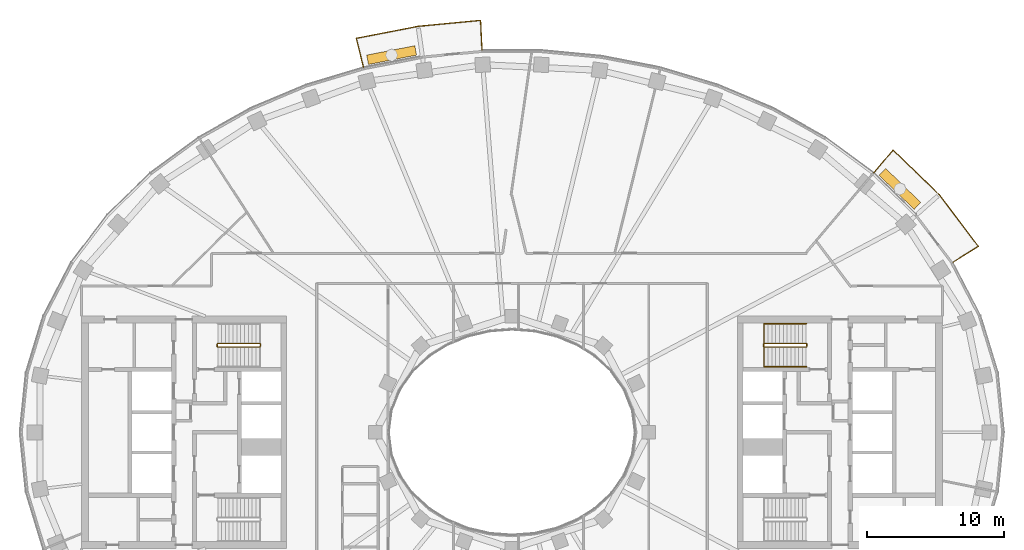
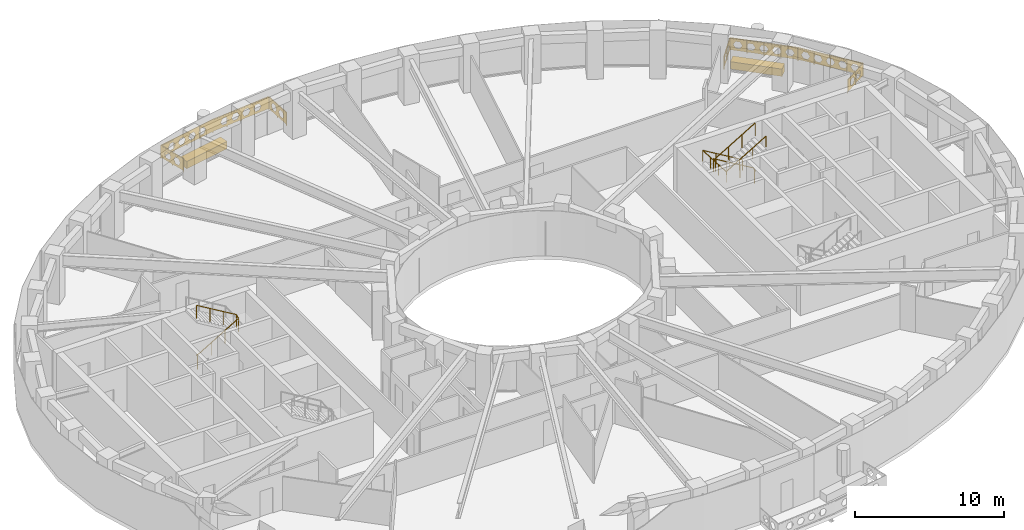
# One storey, part 15 of 16: 5 railings, 2 coverings.
"""IFC4 building model written with IfcOpenShell, lengths in metres."""

from ifc_helpers import new_model, si_unit, direction, frame, origin, origin_2d, place, context, subcontext, project, spatial, polyline, rectangle, outline, extrude, material, type_object, element, save


model = new_model("IFC4")

# Units and contexts
model_context = context("Model", 3, precision=1e-05, world=origin(), true_north=direction((0.0, 1.0)))
body_context = subcontext(model_context, "Body", "Model", "MODEL_VIEW")
ifc_project = project(units=[si_unit("LENGTHUNIT", "METRE"), si_unit("AREAUNIT", "SQUARE_METRE"), si_unit("VOLUMEUNIT", "CUBIC_METRE"), si_unit("PLANEANGLEUNIT", "RADIAN"), si_unit("MASSUNIT", "GRAM", prefix="KILO")], contexts=[model_context])

# Site, building, storey
site_placement = place(None, origin())
site = spatial("IfcSite", under=ifc_project, at=site_placement, CompositionType="ELEMENT")
building_placement = place(site_placement, origin())
building = spatial("IfcBuilding", under=site, at=building_placement, Name="Noorbagh Ring Tower", CompositionType="ELEMENT")
storey_placement = place(building_placement, frame((0.0, 0.0, 257.5)))
storey = spatial("IfcBuildingStorey", under=building, at=storey_placement, Name="L54", CompositionType="ELEMENT", Elevation=257.5)

# Railings
ifc_material_1 = material(Name="Stainless steel", Category="steel")
railing_type_1 = type_object("IfcRailingType", Name="CORE-STAIR-GUARD", PredefinedType="GUARDRAIL", material=ifc_material_1)
railing_1_placement = place(storey_placement, frame((-21.580078125, 6.300048828125, 0.0)))
element("IfcRailing", 1, at=railing_1_placement, inside=storey, type_object=railing_type_1, Name="L54 ST1 stair guard", PredefinedType="GUARDRAIL", context=body_context, shape_type="SweptSolid", body=[
    extrude(rectangle(XDim=0.048095703125, YDim=0.048095703125, at=origin_2d()), frame((0.0, 0.0, 1.076171875), z_axis=(0.0, 1.0, 0.0), x_axis=(-1.0, 0.0, 0.0)), (0.0, 0.0, 1.0), 0.14990234375),
    extrude(rectangle(XDim=0.048095703125, YDim=0.048095703125, at=origin_2d()), frame((0.0, 0.14990234375, 1.076171875), z_axis=(0.188775798145, -0.754182335027, 0.628945707965), x_axis=(0.970072785993, 0.242814311512, 0.0)), (0.0, 0.0, 1.0), 0.26513671875),
    extrude(rectangle(XDim=0.048095703125, YDim=0.048095703125, at=origin_2d()), frame((0.050048828125, -0.050048828125, 1.24267578125), z_axis=(0.859308565015, 0.0, 0.511457515432), x_axis=(0.0, 1.0, 0.0)), (0.0, 0.0, 1.0), 3.58447265625),
    extrude(rectangle(XDim=0.048095703125, YDim=0.048095703125, at=origin_2d()), frame((3.130126953125, -0.050048828125, 3.076171875), z_axis=(0.707106781187, 0.707106781187, 0.0), x_axis=(-0.707106781187, 0.707106781187, 0.0)), (0.0, 0.0, 1.0), 0.07080078125),
    extrude(rectangle(XDim=0.048095703125, YDim=0.048095703125, at=origin_2d()), frame((3.18017578125, 0.0, 3.076171875), z_axis=(0.0, 1.0, 0.0), x_axis=(-1.0, 0.0, 0.0)), (0.0, 0.0, 1.0), 0.14990234375),
    extrude(rectangle(XDim=0.048095703125, YDim=0.048095703125, at=origin_2d()), frame((3.18017578125, 0.14990234375, 3.076171875), z_axis=(-0.27628659633, 0.27628659633, 0.920506074601), x_axis=(-0.707106781187, -0.707106781187, 0.0)), (0.0, 0.0, 1.0), 0.18115234375),
    extrude(rectangle(XDim=0.048095703125, YDim=0.048095703125, at=origin_2d()), frame((3.130126953125, 0.199951171875, 3.24267578125), z_axis=(-0.859308565015, 0.0, 0.511457515432), x_axis=(0.0, -1.0, 0.0)), (0.0, 0.0, 1.0), 3.58447265625),
    extrude(rectangle(XDim=0.0419921875, YDim=0.0419921875, at=origin_2d()), origin(), (0.0, 0.0, 1.0), 1.052001953125),
    extrude(rectangle(XDim=0.0419921875, YDim=0.0419921875, at=origin_2d()), frame((1.07666015625, -0.050048828125, 0.77783203125)), (0.0, 0.0, 1.0), 1.052001953125),
    extrude(rectangle(XDim=0.0419921875, YDim=0.0419921875, at=origin_2d()), frame((2.103515625, -0.050048828125, 1.388916015625)), (0.0, 0.0, 1.0), 1.052001953125),
    extrude(rectangle(XDim=0.0419921875, YDim=0.0419921875, at=origin_2d()), frame((3.130126953125, -0.050048828125, 2.0)), (0.0, 0.0, 1.0), 1.052001953125),
    extrude(rectangle(XDim=0.0419921875, YDim=0.0419921875, at=origin_2d()), frame((3.130126953125, 0.199951171875, 2.166748046875)), (0.0, 0.0, 1.0), 1.052001953125),
    extrude(rectangle(XDim=0.0419921875, YDim=0.0419921875, at=origin_2d()), frame((2.103515625, 0.199951171875, 2.77783203125)), (0.0, 0.0, 1.0), 1.052001953125),
    extrude(rectangle(XDim=0.0419921875, YDim=0.0419921875, at=origin_2d()), frame((1.07666015625, 0.199951171875, 3.388916015625)), (0.0, 0.0, 1.0), 1.052001953125),
    extrude(rectangle(XDim=0.0419921875, YDim=0.0419921875, at=origin_2d()), frame((0.050048828125, 0.199951171875, 4.0)), (0.0, 0.0, 1.0), 1.052001953125),
])
railing_2_placement = place(storey_placement, frame((21.580078125, 6.449951171875, 0.0)))
element("IfcRailing", 2, at=railing_2_placement, inside=storey, type_object=railing_type_1, Name="L54 ST3 stair guard", PredefinedType="GUARDRAIL", context=body_context, shape_type="SweptSolid", body=[
    extrude(rectangle(XDim=0.048095703125, YDim=0.048095703125, at=origin_2d()), frame((0.0, 0.0, 1.076171875), z_axis=(0.0, -1.0, 0.0), x_axis=(1.0, 0.0, 0.0)), (0.0, 0.0, 1.0), 0.14990234375),
    extrude(rectangle(XDim=0.048095703125, YDim=0.048095703125, at=origin_2d()), frame((0.0, -0.14990234375, 1.076171875), z_axis=(-0.188775798145, 0.754182335027, 0.628945707965), x_axis=(-0.970072785993, -0.242814311512, 0.0)), (0.0, 0.0, 1.0), 0.26513671875),
    extrude(rectangle(XDim=0.048095703125, YDim=0.048095703125, at=origin_2d()), frame((-0.050048828125, 0.050048828125, 1.24267578125), z_axis=(-0.859308565015, 0.0, 0.511457515432), x_axis=(0.0, -1.0, 0.0)), (0.0, 0.0, 1.0), 3.58447265625),
    extrude(rectangle(XDim=0.048095703125, YDim=0.048095703125, at=origin_2d()), frame((-3.130126953125, 0.050048828125, 3.076171875), z_axis=(-0.707106781187, -0.707106781187, 0.0), x_axis=(0.707106781187, -0.707106781187, 0.0)), (0.0, 0.0, 1.0), 0.07080078125),
    extrude(rectangle(XDim=0.048095703125, YDim=0.048095703125, at=origin_2d()), frame((-3.18017578125, 0.0, 3.076171875), z_axis=(0.0, -1.0, 0.0), x_axis=(1.0, 0.0, 0.0)), (0.0, 0.0, 1.0), 0.14990234375),
    extrude(rectangle(XDim=0.048095703125, YDim=0.048095703125, at=origin_2d()), frame((-3.18017578125, -0.14990234375, 3.076171875), z_axis=(0.27628659633, -0.27628659633, 0.920506074601), x_axis=(0.707106781187, 0.707106781187, 0.0)), (0.0, 0.0, 1.0), 0.18115234375),
    extrude(rectangle(XDim=0.048095703125, YDim=0.048095703125, at=origin_2d()), frame((-3.130126953125, -0.199951171875, 3.24267578125), z_axis=(0.859308565015, 0.0, 0.511457515432), x_axis=(0.0, 1.0, 0.0)), (0.0, 0.0, 1.0), 3.58447265625),
    extrude(rectangle(XDim=0.0419921875, YDim=0.0419921875, at=origin_2d()), origin(), (0.0, 0.0, 1.0), 1.052001953125),
    extrude(rectangle(XDim=0.0419921875, YDim=0.0419921875, at=origin_2d()), frame((-1.07666015625, 0.050048828125, 0.77783203125)), (0.0, 0.0, 1.0), 1.052001953125),
    extrude(rectangle(XDim=0.0419921875, YDim=0.0419921875, at=origin_2d()), frame((-2.103515625, 0.050048828125, 1.388916015625)), (0.0, 0.0, 1.0), 1.052001953125),
    extrude(rectangle(XDim=0.0419921875, YDim=0.0419921875, at=origin_2d()), frame((-3.130126953125, 0.050048828125, 2.0)), (0.0, 0.0, 1.0), 1.052001953125),
    extrude(rectangle(XDim=0.0419921875, YDim=0.0419921875, at=origin_2d()), frame((-3.130126953125, -0.199951171875, 2.166748046875)), (0.0, 0.0, 1.0), 1.052001953125),
    extrude(rectangle(XDim=0.0419921875, YDim=0.0419921875, at=origin_2d()), frame((-2.103515625, -0.199951171875, 2.77783203125)), (0.0, 0.0, 1.0), 1.052001953125),
    extrude(rectangle(XDim=0.0419921875, YDim=0.0419921875, at=origin_2d()), frame((-1.07666015625, -0.199951171875, 3.388916015625)), (0.0, 0.0, 1.0), 1.052001953125),
    extrude(rectangle(XDim=0.0419921875, YDim=0.0419921875, at=origin_2d()), frame((-0.050048828125, -0.199951171875, 4.0)), (0.0, 0.0, 1.0), 1.052001953125),
])
ifc_material_2 = material(Name="Stainless steel", Category="steel")
railing_type_2 = type_object("IfcRailingType", Name="CORE-STAIR-HANDRAIL", PredefinedType="HANDRAIL", material=ifc_material_2)
railing_3_placement = place(storey_placement, frame((21.530029296875, 7.949951171875, 0.166748046875)))
element("IfcRailing", 3, at=railing_3_placement, inside=storey, type_object=railing_type_2, Name="L54 ST3 stair handrail", PredefinedType="HANDRAIL", context=body_context, shape_type="SweptSolid", body=[
    extrude(rectangle(XDim=0.048095703125, YDim=0.048095703125, at=origin_2d()), frame((0.0, 0.0, 0.8759765625), z_axis=(-0.859308565015, 0.0, 0.511457515432), x_axis=(0.0, -1.0, 0.0)), (0.0, 0.0, 1.0), 3.58447265625),
    extrude(rectangle(XDim=0.048095703125, YDim=0.048095703125, at=origin_2d()), frame((-3.080078125, 0.0, 2.708984375), z_axis=(0.0, -0.998601747152, 0.052863509014), x_axis=(1.0, 0.0, 0.0)), (0.0, 0.0, 1.0), 3.154296875),
    extrude(rectangle(XDim=0.048095703125, YDim=0.048095703125, at=origin_2d()), frame((-3.080078125, -3.14990234375, 2.8759765625), z_axis=(0.859308565015, 0.0, 0.511457515432), x_axis=(0.0, 1.0, 0.0)), (0.0, 0.0, 1.0), 3.58447265625),
    extrude(rectangle(XDim=0.0419921875, YDim=0.0419921875, at=origin_2d()), origin(), (0.0, 0.0, 1.0), 0.851806640625),
    extrude(rectangle(XDim=0.0419921875, YDim=0.0419921875, at=origin_2d()), frame((-1.026611328125, 0.0, 0.611083984375)), (0.0, 0.0, 1.0), 0.851806640625),
    extrude(rectangle(XDim=0.0419921875, YDim=0.0419921875, at=origin_2d()), frame((-2.053466796875, 0.0, 1.22216796875)), (0.0, 0.0, 1.0), 0.851806640625),
    extrude(rectangle(XDim=0.0419921875, YDim=0.0419921875, at=origin_2d()), frame((-3.080078125, 0.0, 1.833251953125)), (0.0, 0.0, 1.0), 0.851806640625),
    extrude(rectangle(XDim=0.0419921875, YDim=0.0419921875, at=origin_2d()), frame((-3.080078125, -1.050048828125, 1.888916015625)), (0.0, 0.0, 1.0), 0.851806640625),
    extrude(rectangle(XDim=0.0419921875, YDim=0.0419921875, at=origin_2d()), frame((-3.080078125, -2.099853515625, 1.9443359375)), (0.0, 0.0, 1.0), 0.851806640625),
    extrude(rectangle(XDim=0.0419921875, YDim=0.0419921875, at=origin_2d()), frame((-3.080078125, -3.14990234375, 2.0)), (0.0, 0.0, 1.0), 0.851806640625),
    extrude(rectangle(XDim=0.0419921875, YDim=0.0419921875, at=origin_2d()), frame((-2.053466796875, -3.14990234375, 2.611083984375)), (0.0, 0.0, 1.0), 0.851806640625),
    extrude(rectangle(XDim=0.0419921875, YDim=0.0419921875, at=origin_2d()), frame((-1.026611328125, -3.14990234375, 3.22216796875)), (0.0, 0.0, 1.0), 0.851806640625),
    extrude(rectangle(XDim=0.0419921875, YDim=0.0419921875, at=origin_2d()), frame((0.0, -3.14990234375, 3.833251953125)), (0.0, 0.0, 1.0), 0.851806640625),
])
ifc_material_3 = material(Name="Steel S275 black powder-coated", Category="steel")
railing_type_3 = type_object("IfcRailingType", Name="ENV-GUARD", PredefinedType="GUARDRAIL", material=ifc_material_3)
railing_4_placement = place(storey_placement, frame((32.255126953125, 12.434814453125, 0.0)))
element("IfcRailing", 4, at=railing_4_placement, inside=storey, type_object=railing_type_3, Name="Balcony guard BN01", PredefinedType="GUARDRAIL", context=body_context, shape_type="SweptSolid", body=[
    extrude(rectangle(XDim=0.048095703125, YDim=0.048095703125, at=origin_2d()), frame((0.0, 0.0, 1.076171875), z_axis=(0.844852397829, 0.534999463442, 0.0), x_axis=(-0.534999463442, 0.844852397829, 0.0)), (0.0, 0.0, 1.0), 2.207763671875),
    extrude(rectangle(XDim=0.048095703125, YDim=0.048095703125, at=origin_2d()), frame((1.865234375, 1.18115234375, 1.076171875), z_axis=(-0.604001613322, 0.796983093362, 0.0), x_axis=(-0.796983093362, -0.604001613322, 0.0)), (0.0, 0.0, 1.0), 4.7353515625),
    extrude(rectangle(XDim=0.048095703125, YDim=0.048095703125, at=origin_2d()), frame((-0.994873046875, 4.955078125, 1.076171875), z_axis=(-0.717212632946, 0.696854388766, 0.0), x_axis=(-0.696854388766, -0.717212632946, 0.0)), (0.0, 0.0, 1.0), 4.700927734375),
    extrude(rectangle(XDim=0.048095703125, YDim=0.048095703125, at=origin_2d()), frame((-4.366455078125, 8.23095703125, 1.076171875), z_axis=(-0.646413574048, -0.762987215677, 0.0), x_axis=(0.762987215677, -0.646413574048, 0.0)), (0.0, 0.0, 1.0), 2.205322265625),
    extrude(rectangle(XDim=0.0419921875, YDim=0.0419921875, at=origin_2d()), origin(), (0.0, 0.0, 1.0), 1.052001953125),
    extrude(rectangle(XDim=0.0419921875, YDim=0.0419921875, at=origin_2d()), frame((0.9326171875, 0.590576171875, 0.0)), (0.0, 0.0, 1.0), 1.052001953125),
    extrude(rectangle(XDim=0.0419921875, YDim=0.0419921875, at=origin_2d()), frame((1.865234375, 1.18115234375, 0.0)), (0.0, 0.0, 1.0), 1.052001953125),
    extrude(rectangle(XDim=0.0419921875, YDim=0.0419921875, at=origin_2d()), frame((1.150146484375, 2.12451171875, 0.0)), (0.0, 0.0, 1.0), 1.052001953125),
    extrude(rectangle(XDim=0.0419921875, YDim=0.0419921875, at=origin_2d()), frame((0.43505859375, 3.068115234375, 0.0)), (0.0, 0.0, 1.0), 1.052001953125),
    extrude(rectangle(XDim=0.0419921875, YDim=0.0419921875, at=origin_2d()), frame((-0.27978515625, 4.01171875, 0.0)), (0.0, 0.0, 1.0), 1.052001953125),
    extrude(rectangle(XDim=0.0419921875, YDim=0.0419921875, at=origin_2d()), frame((-0.994873046875, 4.955078125, 0.0)), (0.0, 0.0, 1.0), 1.052001953125),
    extrude(rectangle(XDim=0.0419921875, YDim=0.0419921875, at=origin_2d()), frame((-1.837890625, 5.77392578125, 0.0)), (0.0, 0.0, 1.0), 1.052001953125),
    extrude(rectangle(XDim=0.0419921875, YDim=0.0419921875, at=origin_2d()), frame((-2.6806640625, 6.593017578125, 0.0)), (0.0, 0.0, 1.0), 1.052001953125),
    extrude(rectangle(XDim=0.0419921875, YDim=0.0419921875, at=origin_2d()), frame((-3.5234375, 7.412109375, 0.0)), (0.0, 0.0, 1.0), 1.052001953125),
    extrude(rectangle(XDim=0.0419921875, YDim=0.0419921875, at=origin_2d()), frame((-4.366455078125, 8.23095703125, 0.0)), (0.0, 0.0, 1.0), 1.052001953125),
    extrude(rectangle(XDim=0.0419921875, YDim=0.0419921875, at=origin_2d()), frame((-5.0791015625, 7.3896484375, 0.0)), (0.0, 0.0, 1.0), 1.052001953125),
    extrude(rectangle(XDim=0.0419921875, YDim=0.0419921875, at=origin_2d()), frame((-5.7919921875, 6.54833984375, 0.0)), (0.0, 0.0, 1.0), 1.052001953125),
    extrude(outline(polyline([(0.0, 0.10009765625), (2.207763671875, 0.10009765625), (2.207763671875, 1.031982421875), (0.0, 1.031982421875), (0.0, 0.10009765625)]), holes=[polyline([(0.9638671875, 0.56591796875), (0.808837890625, 0.83447265625), (0.498779296875, 0.83447265625), (0.343994140625, 0.56591796875), (0.498779296875, 0.297607421875), (0.808837890625, 0.297607421875), (0.9638671875, 0.56591796875)]), polyline([(1.86376953125, 0.56591796875), (1.708984375, 0.83447265625), (1.39892578125, 0.83447265625), (1.243896484375, 0.56591796875), (1.39892578125, 0.297607421875), (1.708984375, 0.297607421875), (1.86376953125, 0.56591796875)])]), frame((-0.00537109375, 0.008544921875, 0.0), z_axis=(0.534999463442, -0.844852397829, 0.0), x_axis=(0.844852397829, 0.534999463442, 0.0)), (0.0, 0.0, 1.0), 0.02001953125),
    extrude(outline(polyline([(0.0, 0.10009765625), (4.7353515625, 0.10009765625), (4.7353515625, 1.031982421875), (0.0, 1.031982421875), (0.0, 0.10009765625)]), holes=[polyline([(0.877685546875, 0.56591796875), (0.72265625, 0.83447265625), (0.41259765625, 0.83447265625), (0.257568359375, 0.56591796875), (0.41259765625, 0.297607421875), (0.72265625, 0.297607421875), (0.877685546875, 0.56591796875)]), polyline([(1.777587890625, 0.56591796875), (1.62255859375, 0.83447265625), (1.312744140625, 0.83447265625), (1.15771484375, 0.56591796875), (1.312744140625, 0.297607421875), (1.62255859375, 0.297607421875), (1.777587890625, 0.56591796875)]), polyline([(2.677734375, 0.56591796875), (2.522705078125, 0.83447265625), (2.212646484375, 0.83447265625), (2.0576171875, 0.56591796875), (2.212646484375, 0.297607421875), (2.522705078125, 0.297607421875), (2.677734375, 0.56591796875)]), polyline([(3.57763671875, 0.56591796875), (3.422607421875, 0.83447265625), (3.112548828125, 0.83447265625), (2.95751953125, 0.56591796875), (3.112548828125, 0.297607421875), (3.422607421875, 0.297607421875), (3.57763671875, 0.56591796875)]), polyline([(4.4775390625, 0.56591796875), (4.32275390625, 0.83447265625), (4.0126953125, 0.83447265625), (3.857666015625, 0.56591796875), (4.0126953125, 0.297607421875), (4.32275390625, 0.297607421875), (4.4775390625, 0.56591796875)])]), frame((1.857177734375, 1.175048828125, 0.0), z_axis=(0.796983093362, 0.604001613322, 0.0), x_axis=(-0.604001613322, 0.796983093362, 0.0)), (0.0, 0.0, 1.0), 0.02001953125),
    extrude(outline(polyline([(0.0, 0.10009765625), (4.700927734375, 0.10009765625), (4.700927734375, 1.031982421875), (0.0, 1.031982421875), (0.0, 0.10009765625)]), holes=[polyline([(0.860595703125, 0.56591796875), (0.70556640625, 0.83447265625), (0.3955078125, 0.83447265625), (0.240478515625, 0.56591796875), (0.3955078125, 0.297607421875), (0.70556640625, 0.297607421875), (0.860595703125, 0.56591796875)]), polyline([(1.760498046875, 0.56591796875), (1.60546875, 0.83447265625), (1.29541015625, 0.83447265625), (1.140380859375, 0.56591796875), (1.29541015625, 0.297607421875), (1.60546875, 0.297607421875), (1.760498046875, 0.56591796875)]), polyline([(2.660400390625, 0.56591796875), (2.50537109375, 0.83447265625), (2.195556640625, 0.83447265625), (2.04052734375, 0.56591796875), (2.195556640625, 0.297607421875), (2.50537109375, 0.297607421875), (2.660400390625, 0.56591796875)]), polyline([(3.560546875, 0.56591796875), (3.405517578125, 0.83447265625), (3.095458984375, 0.83447265625), (2.9404296875, 0.56591796875), (3.095458984375, 0.297607421875), (3.405517578125, 0.297607421875), (3.560546875, 0.56591796875)]), polyline([(4.46044921875, 0.56591796875), (4.305419921875, 0.83447265625), (3.995361328125, 0.83447265625), (3.840576171875, 0.56591796875), (3.995361328125, 0.297607421875), (4.305419921875, 0.297607421875), (4.46044921875, 0.56591796875)])]), frame((-1.001953125, 4.947998046875, 0.0), z_axis=(0.696854388766, 0.717212632946, 0.0), x_axis=(-0.717212632946, 0.696854388766, 0.0)), (0.0, 0.0, 1.0), 0.02001953125),
    extrude(outline(polyline([(0.0, 0.10009765625), (2.205322265625, 0.10009765625), (2.205322265625, 1.031982421875), (0.0, 1.031982421875), (0.0, 0.10009765625)]), holes=[polyline([(0.962646484375, 0.56591796875), (0.8076171875, 0.83447265625), (0.49755859375, 0.83447265625), (0.342529296875, 0.56591796875), (0.49755859375, 0.297607421875), (0.8076171875, 0.297607421875), (0.962646484375, 0.56591796875)]), polyline([(1.862548828125, 0.56591796875), (1.707763671875, 0.83447265625), (1.397705078125, 0.83447265625), (1.24267578125, 0.56591796875), (1.397705078125, 0.297607421875), (1.707763671875, 0.297607421875), (1.862548828125, 0.56591796875)])]), frame((-4.35888671875, 8.224609375, 0.0), z_axis=(-0.762987215677, 0.646413574048, 0.0), x_axis=(-0.646413574048, -0.762987215677, 0.0)), (0.0, 0.0, 1.0), 0.02001953125),
])
railing_5_placement = place(storey_placement, frame((-2.193115234375, 27.947998046875, 0.0)))
element("IfcRailing", 5, at=railing_5_placement, inside=storey, type_object=railing_type_3, Name="Balcony guard BN04", PredefinedType="GUARDRAIL", context=body_context, shape_type="SweptSolid", body=[
    extrude(rectangle(XDim=0.048095703125, YDim=0.048095703125, at=origin_2d()), frame((0.0, 0.0, 1.076171875), z_axis=(-0.047554616162, 0.998868639252, 0.0), x_axis=(-0.998868639252, -0.047554616162, 0.0)), (0.0, 0.0, 1.0), 2.202392578125),
    extrude(rectangle(XDim=0.048095703125, YDim=0.048095703125, at=origin_2d()), frame((-0.104736328125, 2.199951171875, 1.076171875), z_axis=(-0.995477555764, -0.094997031379, 0.0), x_axis=(0.094997031379, -0.995477555764, 0.0)), (0.0, 0.0, 1.0), 4.59765625),
    extrude(rectangle(XDim=0.048095703125, YDim=0.048095703125, at=origin_2d()), frame((-4.681640625, 1.76318359375, 1.076171875), z_axis=(-0.981625049064, -0.1908199755, 0.0), x_axis=(0.1908199755, -0.981625049064, 0.0)), (0.0, 0.0, 1.0), 4.603271484375),
    extrude(rectangle(XDim=0.048095703125, YDim=0.048095703125, at=origin_2d()), frame((-9.200439453125, 0.884765625, 1.076171875), z_axis=(0.239848558412, -0.970810315679, 0.0), x_axis=(0.970810315679, 0.239848558412, 0.0)), (0.0, 0.0, 1.0), 2.20263671875),
    extrude(rectangle(XDim=0.0419921875, YDim=0.0419921875, at=origin_2d()), origin(), (0.0, 0.0, 1.0), 1.052001953125),
    extrude(rectangle(XDim=0.0419921875, YDim=0.0419921875, at=origin_2d()), frame((-0.05224609375, 1.10009765625, 0.0)), (0.0, 0.0, 1.0), 1.052001953125),
    extrude(rectangle(XDim=0.0419921875, YDim=0.0419921875, at=origin_2d()), frame((-0.104736328125, 2.199951171875, 0.0)), (0.0, 0.0, 1.0), 1.052001953125),
    extrude(rectangle(XDim=0.0419921875, YDim=0.0419921875, at=origin_2d()), frame((-1.2490234375, 2.0908203125, 0.0)), (0.0, 0.0, 1.0), 1.052001953125),
    extrude(rectangle(XDim=0.0419921875, YDim=0.0419921875, at=origin_2d()), frame((-2.39306640625, 1.9814453125, 0.0)), (0.0, 0.0, 1.0), 1.052001953125),
    extrude(rectangle(XDim=0.0419921875, YDim=0.0419921875, at=origin_2d()), frame((-3.537353515625, 1.872314453125, 0.0)), (0.0, 0.0, 1.0), 1.052001953125),
    extrude(rectangle(XDim=0.0419921875, YDim=0.0419921875, at=origin_2d()), frame((-4.681640625, 1.76318359375, 0.0)), (0.0, 0.0, 1.0), 1.052001953125),
    extrude(rectangle(XDim=0.0419921875, YDim=0.0419921875, at=origin_2d()), frame((-5.811279296875, 1.54345703125, 0.0)), (0.0, 0.0, 1.0), 1.052001953125),
    extrude(rectangle(XDim=0.0419921875, YDim=0.0419921875, at=origin_2d()), frame((-6.94091796875, 1.323974609375, 0.0)), (0.0, 0.0, 1.0), 1.052001953125),
    extrude(rectangle(XDim=0.0419921875, YDim=0.0419921875, at=origin_2d()), frame((-8.07080078125, 1.1044921875, 0.0)), (0.0, 0.0, 1.0), 1.052001953125),
    extrude(rectangle(XDim=0.0419921875, YDim=0.0419921875, at=origin_2d()), frame((-9.200439453125, 0.884765625, 0.0)), (0.0, 0.0, 1.0), 1.052001953125),
    extrude(rectangle(XDim=0.0419921875, YDim=0.0419921875, at=origin_2d()), frame((-8.936279296875, -0.1845703125, 0.0)), (0.0, 0.0, 1.0), 1.052001953125),
    extrude(rectangle(XDim=0.0419921875, YDim=0.0419921875, at=origin_2d()), frame((-8.672119140625, -1.253662109375, 0.0)), (0.0, 0.0, 1.0), 1.052001953125),
    extrude(outline(polyline([(0.0, 0.10009765625), (2.202392578125, 0.10009765625), (2.202392578125, 1.031982421875), (0.0, 1.031982421875), (0.0, 0.10009765625)]), holes=[polyline([(0.961181640625, 0.56591796875), (0.80615234375, 0.83447265625), (0.496337890625, 0.83447265625), (0.34130859375, 0.56591796875), (0.496337890625, 0.297607421875), (0.80615234375, 0.297607421875), (0.961181640625, 0.56591796875)]), polyline([(1.861328125, 0.56591796875), (1.706298828125, 0.83447265625), (1.396240234375, 0.83447265625), (1.2412109375, 0.56591796875), (1.396240234375, 0.297607421875), (1.706298828125, 0.297607421875), (1.861328125, 0.56591796875)])]), frame((-0.010009765625, -0.00048828125, 0.0), z_axis=(0.998868639252, 0.047554616162, 0.0), x_axis=(-0.047554616162, 0.998868639252, 0.0)), (0.0, 0.0, 1.0), 0.02001953125),
    extrude(outline(polyline([(0.0, 0.10009765625), (4.59765625, 0.10009765625), (4.59765625, 1.031982421875), (0.0, 1.031982421875), (0.0, 0.10009765625)]), holes=[polyline([(1.2587890625, 0.56591796875), (1.103759765625, 0.83447265625), (0.7939453125, 0.83447265625), (0.638916015625, 0.56591796875), (0.7939453125, 0.297607421875), (1.103759765625, 0.297607421875), (1.2587890625, 0.56591796875)]), polyline([(2.158935546875, 0.56591796875), (2.00390625, 0.83447265625), (1.69384765625, 0.83447265625), (1.538818359375, 0.56591796875), (1.69384765625, 0.297607421875), (2.00390625, 0.297607421875), (2.158935546875, 0.56591796875)]), polyline([(3.058837890625, 0.56591796875), (2.90380859375, 0.83447265625), (2.59375, 0.83447265625), (2.43896484375, 0.56591796875), (2.59375, 0.297607421875), (2.90380859375, 0.297607421875), (3.058837890625, 0.56591796875)]), polyline([(3.958740234375, 0.56591796875), (3.803955078125, 0.83447265625), (3.493896484375, 0.83447265625), (3.3388671875, 0.56591796875), (3.493896484375, 0.297607421875), (3.803955078125, 0.297607421875), (3.958740234375, 0.56591796875)])]), frame((-0.103759765625, 2.18994140625, 0.0), z_axis=(-0.094997031379, 0.995477555764, 0.0), x_axis=(-0.995477555764, -0.094997031379, 0.0)), (0.0, 0.0, 1.0), 0.02001953125),
    extrude(outline(polyline([(0.0, 0.10009765625), (4.603271484375, 0.10009765625), (4.603271484375, 1.031982421875), (0.0, 1.031982421875), (0.0, 0.10009765625)]), holes=[polyline([(1.26171875, 0.56591796875), (1.106689453125, 0.83447265625), (0.796630859375, 0.83447265625), (0.6416015625, 0.56591796875), (0.796630859375, 0.297607421875), (1.106689453125, 0.297607421875), (1.26171875, 0.56591796875)]), polyline([(2.16162109375, 0.56591796875), (2.006591796875, 0.83447265625), (1.69677734375, 0.83447265625), (1.541748046875, 0.56591796875), (1.69677734375, 0.297607421875), (2.006591796875, 0.297607421875), (2.16162109375, 0.56591796875)]), polyline([(3.061767578125, 0.56591796875), (2.90673828125, 0.83447265625), (2.5966796875, 0.83447265625), (2.441650390625, 0.56591796875), (2.5966796875, 0.297607421875), (2.90673828125, 0.297607421875), (3.061767578125, 0.56591796875)]), polyline([(3.961669921875, 0.56591796875), (3.806640625, 0.83447265625), (3.49658203125, 0.83447265625), (3.341796875, 0.56591796875), (3.49658203125, 0.297607421875), (3.806640625, 0.297607421875), (3.961669921875, 0.56591796875)])]), frame((-4.6796875, 1.75341796875, 0.0), z_axis=(-0.1908199755, 0.981625049064, 0.0), x_axis=(-0.981625049064, -0.1908199755, 0.0)), (0.0, 0.0, 1.0), 0.02001953125),
    extrude(outline(polyline([(0.0, 0.10009765625), (2.20263671875, 0.10009765625), (2.20263671875, 1.031982421875), (0.0, 1.031982421875), (0.0, 0.10009765625)]), holes=[polyline([(0.96142578125, 0.56591796875), (0.806396484375, 0.83447265625), (0.496337890625, 0.83447265625), (0.34130859375, 0.56591796875), (0.496337890625, 0.297607421875), (0.806396484375, 0.297607421875), (0.96142578125, 0.56591796875)]), polyline([(1.861328125, 0.56591796875), (1.706298828125, 0.83447265625), (1.396240234375, 0.83447265625), (1.241455078125, 0.56591796875), (1.396240234375, 0.297607421875), (1.706298828125, 0.297607421875), (1.861328125, 0.56591796875)])]), frame((-9.190673828125, 0.88720703125, 0.0), z_axis=(-0.970810315679, -0.239848558412, 0.0), x_axis=(0.239848558412, -0.970810315679, 0.0)), (0.0, 0.0, 1.0), 0.02001953125),
])

# Coverings
ifc_material_4 = material(Name="Concrete C30/37 planter with soil", Category="concrete")
covering_type = type_object("IfcCoveringType", Name="ENV-PLANTER", PredefinedType="CLADDING", material=ifc_material_4)
covering_1_placement = place(storey_placement, frame((28.3837890625, 17.814208984375, 0.0), z_axis=(0.0, 0.0, 1.0), x_axis=(-0.717224548362, 0.696842125038, 0.0)))
element("IfcCovering", 6, at=covering_1_placement, inside=storey, type_object=covering_type, Name="PLANTER BN01", ObjectType="PLANTER", PredefinedType="CLADDING", context=body_context, shape_type="SweptSolid", body=[
    extrude(rectangle(XDim=3.584228515625, YDim=0.699951171875, at=origin_2d()), origin(), (0.0, 0.0, 1.0), 0.60009765625),
])
covering_2_placement = place(storey_placement, frame((-8.807861328125, 27.603515625, 0.0), z_axis=(0.0, 0.0, 1.0), x_axis=(-0.981624952922, -0.190820470077, 0.0)))
element("IfcCovering", 7, at=covering_2_placement, inside=storey, type_object=covering_type, Name="PLANTER BN04", ObjectType="PLANTER", PredefinedType="CLADDING", context=body_context, shape_type="SweptSolid", body=[
    extrude(rectangle(XDim=3.586181640625, YDim=0.699951171875, at=origin_2d()), origin(), (0.0, 0.0, 1.0), 0.60009765625),
])

save(model, "model.ifc")
